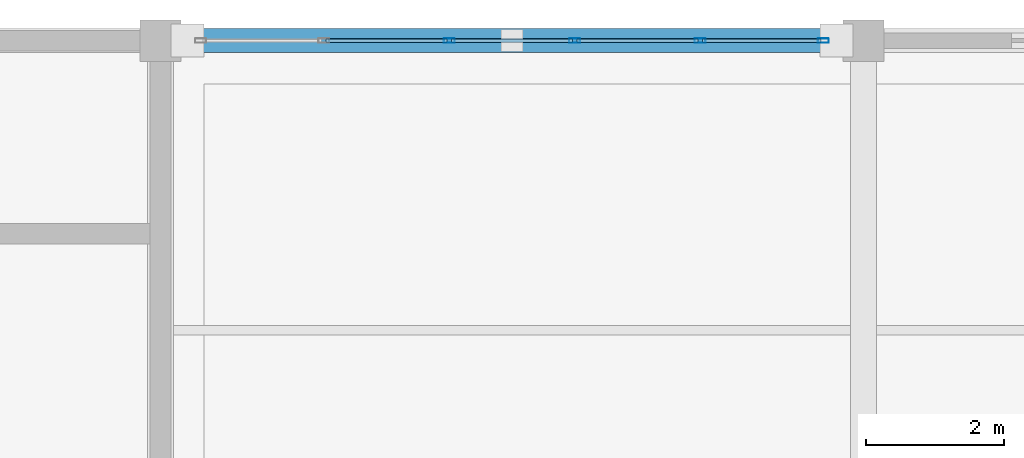
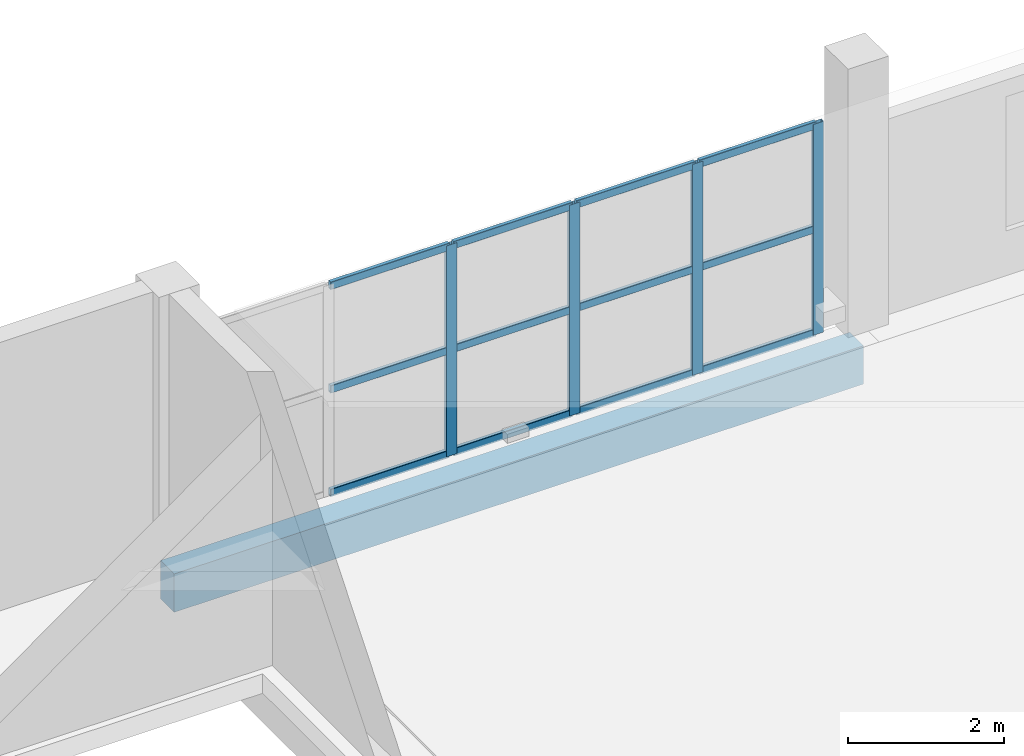
# One storey, part 13 of 24: 16 members, 1 beam, 1 element without a shape of its own.
"""IFC4 building model written with IfcOpenShell, lengths in metres."""

from ifc_helpers import new_model, si_unit, direction, frame, origin, origin_2d, place, context, subcontext, project, spatial, rectangle, hollow_rectangle, extrude, material, material_profile, profile_set, type_object, element, aggregate, save


model = new_model("IFC4")

# Units and contexts
model_context = context("Model", 3, precision=1e-05, world=origin(), true_north=direction((0.0, 1.0)))
body_context = subcontext(model_context, "Body", "Model", "MODEL_VIEW")
ifc_project = project(units=[si_unit("LENGTHUNIT", "METRE"), si_unit("AREAUNIT", "SQUARE_METRE"), si_unit("VOLUMEUNIT", "CUBIC_METRE"), si_unit("PLANEANGLEUNIT", "RADIAN"), si_unit("MASSUNIT", "GRAM", prefix="KILO")], contexts=[model_context])

# Site, building, storey
site_placement = place(None, origin())
site = spatial("IfcSite", under=ifc_project, at=site_placement, CompositionType="ELEMENT")
building_placement = place(site_placement, origin())
building = spatial("IfcBuilding", under=site, at=building_placement, Name="Brelvane Convention Centre", CompositionType="ELEMENT")
storey_placement = place(building_placement, frame((0.0, 0.0, 19.199951171875)))
storey = spatial("IfcBuildingStorey", under=building, at=storey_placement, Name="L04", CompositionType="ELEMENT", Elevation=19.199951171875)

# Curtain wall, members
ifc_material_1 = material(Name="Anodised Aluminium Alloy 6063-T6", Category="aluminium")
curtain_wall_type = type_object("IfcCurtainWallType", Name="Curtain Wall CW-BOUL", PredefinedType="USERDEFINED", material=ifc_material_1)
curtain_wall_placement = place(storey_placement, origin())
curtain_wall = element("IfcCurtainWall", 1, at=curtain_wall_placement, inside=storey, type_object=curtain_wall_type, Name="Curtain Wall CW-BOUL L04-V4N-04", ObjectType="UNITISED", PredefinedType="USERDEFINED")
ifc_material_2 = material(Name="Anodised Aluminium Alloy 6063-T6", Category="aluminium")
ifc_material_profile_1 = material_profile(ifc_material_2, hollow_rectangle(XDim=0.06494140625, YDim=0.159912109375, WallThickness=0.00390625, InnerFilletRadius=0.00390625, OuterFilletRadius=0.008056640625, at=origin_2d()), Name="ALU-M 160x65x4.0")
ifc_profile_set_1 = profile_set([ifc_material_profile_1], Name="Anodised Aluminium Alloy 6063-T6")
member_type_1 = type_object("IfcMemberType", Name="Curtain Mullion CW-M3", PredefinedType="MULLION", material=ifc_profile_set_1)
member_1_placement = place(storey_placement, frame((34.7900390625, 144.0, 0.0), z_axis=(0.0, 0.0, 1.0), x_axis=(0.0, 1.0, 0.0)))
member_1 = element("IfcMember", 2, at=member_1_placement, type_object=member_type_1, Name="CW-BOUL mullion 3", PredefinedType="MULLION", context=body_context, shape_type="SweptSolid", body=[
    extrude(hollow_rectangle(XDim=0.06494140625, YDim=0.159912109375, WallThickness=0.00390625, InnerFilletRadius=0.00390625, OuterFilletRadius=0.008056640625, at=origin_2d()), origin(), (0.0, 0.0, 1.0), 3.300048828125),
])
member_2_placement = place(storey_placement, frame((36.610107421875, 144.0, 0.0), z_axis=(0.0, 0.0, 1.0), x_axis=(0.0, 1.0, 0.0)))
member_2 = element("IfcMember", 3, at=member_2_placement, type_object=member_type_1, Name="CW-BOUL mullion 4", PredefinedType="MULLION", context=body_context, shape_type="SweptSolid", body=[
    extrude(hollow_rectangle(XDim=0.06494140625, YDim=0.159912109375, WallThickness=0.00390625, InnerFilletRadius=0.00390625, OuterFilletRadius=0.008056640625, at=origin_2d()), origin(), (0.0, 0.0, 1.0), 3.300048828125),
])
member_3_placement = place(storey_placement, frame((38.429931640625, 144.0, 0.0), z_axis=(0.0, 0.0, 1.0), x_axis=(0.0, 1.0, 0.0)))
member_3 = element("IfcMember", 4, at=member_3_placement, type_object=member_type_1, Name="CW-BOUL mullion 5", PredefinedType="MULLION", context=body_context, shape_type="SweptSolid", body=[
    extrude(hollow_rectangle(XDim=0.06494140625, YDim=0.159912109375, WallThickness=0.00390625, InnerFilletRadius=0.00390625, OuterFilletRadius=0.008056640625, at=origin_2d()), origin(), (0.0, 0.0, 1.0), 3.300048828125),
])
member_4_placement = place(storey_placement, frame((40.217529296875, 144.0, 0.0), z_axis=(0.0, 0.0, 1.0), x_axis=(0.0, 1.0, 0.0)))
member_4 = element("IfcMember", 5, at=member_4_placement, type_object=member_type_1, Name="CW-BOUL mullion 6", PredefinedType="MULLION", context=body_context, shape_type="SweptSolid", body=[
    extrude(hollow_rectangle(XDim=0.06494140625, YDim=0.159912109375, WallThickness=0.00390625, InnerFilletRadius=0.00390625, OuterFilletRadius=0.008056640625, at=origin_2d()), origin(), (0.0, 0.0, 1.0), 3.300048828125),
])
ifc_material_3 = material(Name="Anodised Aluminium Alloy 6063-T6", Category="aluminium")
ifc_material_profile_2 = material_profile(ifc_material_3, hollow_rectangle(XDim=0.06005859375, YDim=0.1201171875, WallThickness=0.00390625, InnerFilletRadius=0.00390625, OuterFilletRadius=0.008056640625, at=origin_2d()), Name="ALU-T 120x60x4.0")
ifc_profile_set_2 = profile_set([ifc_material_profile_2], Name="Anodised Aluminium Alloy 6063-T6")
member_type_2 = type_object("IfcMemberType", Name="Curtain Transom CW-T3", PredefinedType="USERDEFINED", material=ifc_profile_set_2)
member_5_placement = place(storey_placement, frame((33.00244140625, 144.0, 0.030029296875), z_axis=(1.0, 0.0, 0.0), x_axis=(0.0, 1.0, 0.0)))
member_5 = element("IfcMember", 6, at=member_5_placement, type_object=member_type_2, Name="CW-BOUL transom 2.1", ObjectType="TRANSOM", PredefinedType="USERDEFINED", context=body_context, shape_type="SweptSolid", body=[
    extrude(hollow_rectangle(XDim=0.06005859375, YDim=0.1201171875, WallThickness=0.00390625, InnerFilletRadius=0.00390625, OuterFilletRadius=0.008056640625, at=origin_2d()), origin(), (0.0, 0.0, 1.0), 1.755126953125),
])
member_6_placement = place(storey_placement, frame((33.00244140625, 144.0, 1.650146484375), z_axis=(1.0, 0.0, 0.0), x_axis=(0.0, 1.0, 0.0)))
member_6 = element("IfcMember", 7, at=member_6_placement, type_object=member_type_2, Name="CW-BOUL transom 2.2", ObjectType="TRANSOM", PredefinedType="USERDEFINED", context=body_context, shape_type="SweptSolid", body=[
    extrude(hollow_rectangle(XDim=0.06005859375, YDim=0.1201171875, WallThickness=0.00390625, InnerFilletRadius=0.00390625, OuterFilletRadius=0.008056640625, at=origin_2d()), origin(), (0.0, 0.0, 1.0), 1.755126953125),
])
member_7_placement = place(storey_placement, frame((33.00244140625, 144.0, 3.27001953125), z_axis=(1.0, 0.0, 0.0), x_axis=(0.0, 1.0, 0.0)))
member_7 = element("IfcMember", 8, at=member_7_placement, type_object=member_type_2, Name="CW-BOUL transom 2.3", ObjectType="TRANSOM", PredefinedType="USERDEFINED", context=body_context, shape_type="SweptSolid", body=[
    extrude(hollow_rectangle(XDim=0.06005859375, YDim=0.1201171875, WallThickness=0.00390625, InnerFilletRadius=0.00390625, OuterFilletRadius=0.008056640625, at=origin_2d()), origin(), (0.0, 0.0, 1.0), 1.755126953125),
])
member_8_placement = place(storey_placement, frame((34.822509765625, 144.0, 0.030029296875), z_axis=(1.0, 0.0, 0.0), x_axis=(0.0, 1.0, 0.0)))
member_8 = element("IfcMember", 9, at=member_8_placement, type_object=member_type_2, Name="CW-BOUL transom 3.1", ObjectType="TRANSOM", PredefinedType="USERDEFINED", context=body_context, shape_type="SweptSolid", body=[
    extrude(hollow_rectangle(XDim=0.06005859375, YDim=0.1201171875, WallThickness=0.00390625, InnerFilletRadius=0.00390625, OuterFilletRadius=0.008056640625, at=origin_2d()), origin(), (0.0, 0.0, 1.0), 1.7548828125),
])
member_9_placement = place(storey_placement, frame((34.822509765625, 144.0, 1.650146484375), z_axis=(1.0, 0.0, 0.0), x_axis=(0.0, 1.0, 0.0)))
member_9 = element("IfcMember", 10, at=member_9_placement, type_object=member_type_2, Name="CW-BOUL transom 3.2", ObjectType="TRANSOM", PredefinedType="USERDEFINED", context=body_context, shape_type="SweptSolid", body=[
    extrude(hollow_rectangle(XDim=0.06005859375, YDim=0.1201171875, WallThickness=0.00390625, InnerFilletRadius=0.00390625, OuterFilletRadius=0.008056640625, at=origin_2d()), origin(), (0.0, 0.0, 1.0), 1.7548828125),
])
member_10_placement = place(storey_placement, frame((34.822509765625, 144.0, 3.27001953125), z_axis=(1.0, 0.0, 0.0), x_axis=(0.0, 1.0, 0.0)))
member_10 = element("IfcMember", 11, at=member_10_placement, type_object=member_type_2, Name="CW-BOUL transom 3.3", ObjectType="TRANSOM", PredefinedType="USERDEFINED", context=body_context, shape_type="SweptSolid", body=[
    extrude(hollow_rectangle(XDim=0.06005859375, YDim=0.1201171875, WallThickness=0.00390625, InnerFilletRadius=0.00390625, OuterFilletRadius=0.008056640625, at=origin_2d()), origin(), (0.0, 0.0, 1.0), 1.7548828125),
])
member_11_placement = place(storey_placement, frame((36.642578125, 144.0, 0.030029296875), z_axis=(1.0, 0.0, 0.0), x_axis=(0.0, 1.0, 0.0)))
member_11 = element("IfcMember", 12, at=member_11_placement, type_object=member_type_2, Name="CW-BOUL transom 4.1", ObjectType="TRANSOM", PredefinedType="USERDEFINED", context=body_context, shape_type="SweptSolid", body=[
    extrude(hollow_rectangle(XDim=0.06005859375, YDim=0.1201171875, WallThickness=0.00390625, InnerFilletRadius=0.00390625, OuterFilletRadius=0.008056640625, at=origin_2d()), origin(), (0.0, 0.0, 1.0), 1.7548828125),
])
member_12_placement = place(storey_placement, frame((36.642578125, 144.0, 1.650146484375), z_axis=(1.0, 0.0, 0.0), x_axis=(0.0, 1.0, 0.0)))
member_12 = element("IfcMember", 13, at=member_12_placement, type_object=member_type_2, Name="CW-BOUL transom 4.2", ObjectType="TRANSOM", PredefinedType="USERDEFINED", context=body_context, shape_type="SweptSolid", body=[
    extrude(hollow_rectangle(XDim=0.06005859375, YDim=0.1201171875, WallThickness=0.00390625, InnerFilletRadius=0.00390625, OuterFilletRadius=0.008056640625, at=origin_2d()), origin(), (0.0, 0.0, 1.0), 1.7548828125),
])
member_13_placement = place(storey_placement, frame((36.642578125, 144.0, 3.27001953125), z_axis=(1.0, 0.0, 0.0), x_axis=(0.0, 1.0, 0.0)))
member_13 = element("IfcMember", 14, at=member_13_placement, type_object=member_type_2, Name="CW-BOUL transom 4.3", ObjectType="TRANSOM", PredefinedType="USERDEFINED", context=body_context, shape_type="SweptSolid", body=[
    extrude(hollow_rectangle(XDim=0.06005859375, YDim=0.1201171875, WallThickness=0.00390625, InnerFilletRadius=0.00390625, OuterFilletRadius=0.008056640625, at=origin_2d()), origin(), (0.0, 0.0, 1.0), 1.7548828125),
])
member_14_placement = place(storey_placement, frame((38.46240234375, 144.0, 0.030029296875), z_axis=(1.0, 0.0, 0.0), x_axis=(0.0, 1.0, 0.0)))
member_14 = element("IfcMember", 15, at=member_14_placement, type_object=member_type_2, Name="CW-BOUL transom 5.1", ObjectType="TRANSOM", PredefinedType="USERDEFINED", context=body_context, shape_type="SweptSolid", body=[
    extrude(hollow_rectangle(XDim=0.06005859375, YDim=0.1201171875, WallThickness=0.00390625, InnerFilletRadius=0.00390625, OuterFilletRadius=0.008056640625, at=origin_2d()), origin(), (0.0, 0.0, 1.0), 1.72265625),
])
member_15_placement = place(storey_placement, frame((38.46240234375, 144.0, 1.650146484375), z_axis=(1.0, 0.0, 0.0), x_axis=(0.0, 1.0, 0.0)))
member_15 = element("IfcMember", 16, at=member_15_placement, type_object=member_type_2, Name="CW-BOUL transom 5.2", ObjectType="TRANSOM", PredefinedType="USERDEFINED", context=body_context, shape_type="SweptSolid", body=[
    extrude(hollow_rectangle(XDim=0.06005859375, YDim=0.1201171875, WallThickness=0.00390625, InnerFilletRadius=0.00390625, OuterFilletRadius=0.008056640625, at=origin_2d()), origin(), (0.0, 0.0, 1.0), 1.72265625),
])
member_16_placement = place(storey_placement, frame((38.46240234375, 144.0, 3.27001953125), z_axis=(1.0, 0.0, 0.0), x_axis=(0.0, 1.0, 0.0)))
member_16 = element("IfcMember", 17, at=member_16_placement, type_object=member_type_2, Name="CW-BOUL transom 5.3", ObjectType="TRANSOM", PredefinedType="USERDEFINED", context=body_context, shape_type="SweptSolid", body=[
    extrude(hollow_rectangle(XDim=0.06005859375, YDim=0.1201171875, WallThickness=0.00390625, InnerFilletRadius=0.00390625, OuterFilletRadius=0.008056640625, at=origin_2d()), origin(), (0.0, 0.0, 1.0), 1.72265625),
])
aggregate(curtain_wall, [member_1, member_2, member_3, member_4, member_5, member_6, member_7, member_8, member_9, member_10, member_11, member_12, member_13, member_14, member_15, member_16])

# Beam
ifc_material_4 = material(Name="Concrete M40", Category="concrete")
ifc_material_profile_3 = material_profile(ifc_material_4, rectangle(XDim=0.35009765625, YDim=0.60009765625, at=origin_2d()), Name="RC 350x600")
ifc_profile_set_3 = profile_set([ifc_material_profile_3], Name="Concrete M40")
beam_type = type_object("IfcBeamType", Name="RC Spandrel SP-RC2 (RC 350x600)", PredefinedType="SPANDREL", material=ifc_profile_set_3)
beam_placement = place(storey_placement, frame((30.60009765625, 144.0, -0.60498046875), z_axis=(1.0, 0.0, 0.0), x_axis=(0.0, 1.0, 0.0)))
element("IfcBeam", 18, at=beam_placement, inside=storey, type_object=beam_type, Name="L04 Beam 4-5/Q", PredefinedType="SPANDREL", context=body_context, shape_type="SweptSolid", body=[
    extrude(rectangle(XDim=0.35009765625, YDim=0.60009765625, at=origin_2d()), origin(), (0.0, 0.0, 1.0), 10.199951171875),
])

save(model, "model.ifc")
